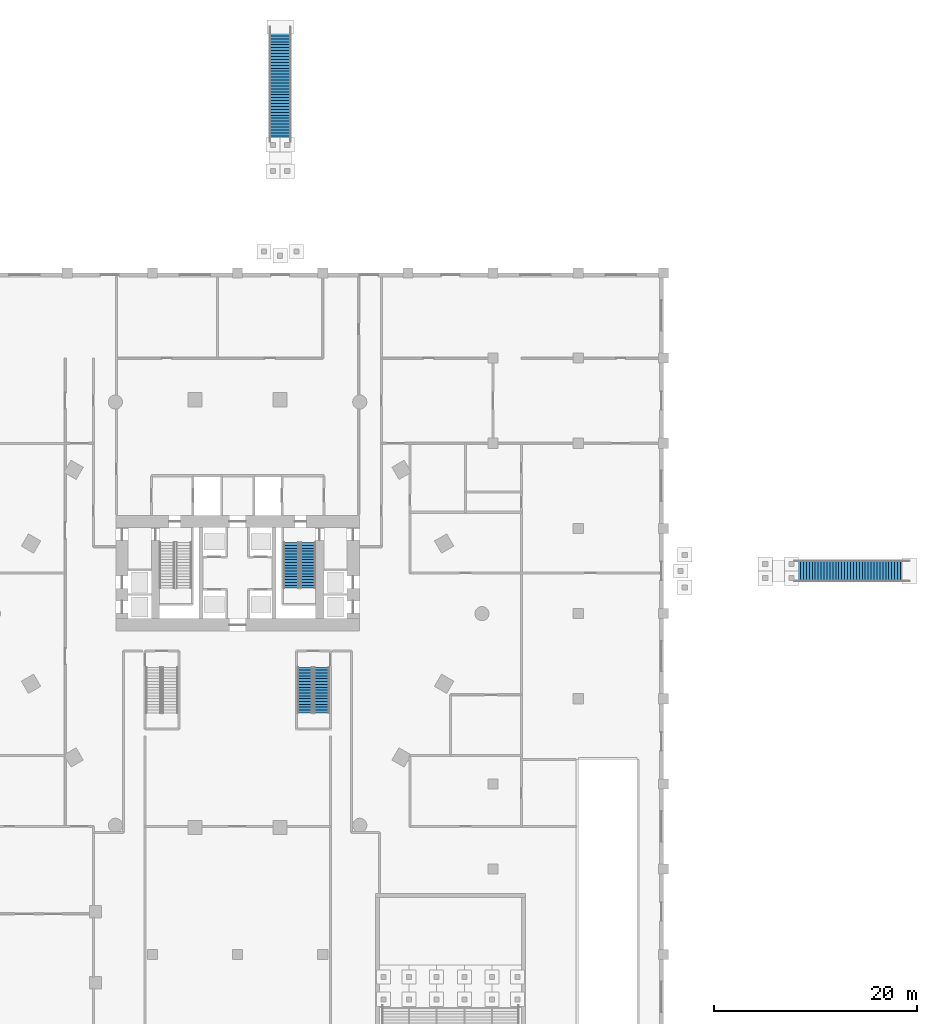
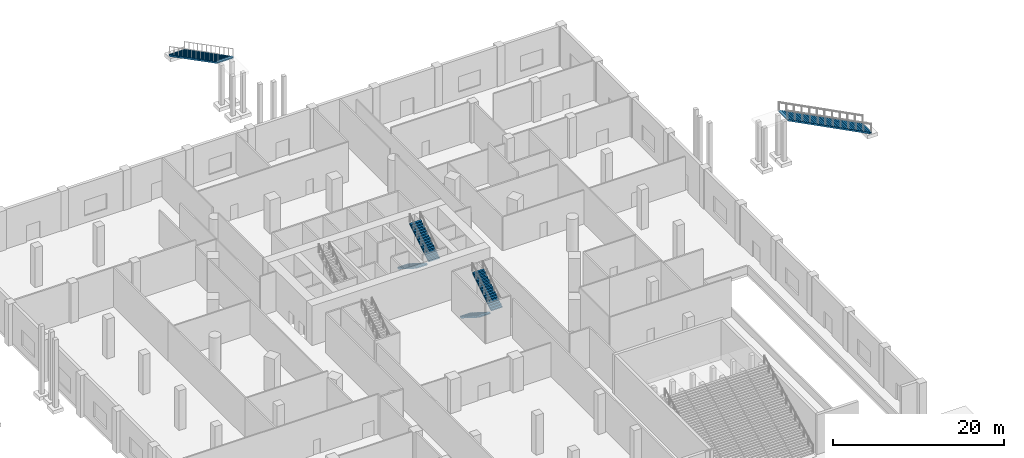
# One storey, part 19 of 25: 6 stair flights, 4 elements without a shape of their own.
"""IFC4 building model written with IfcOpenShell, lengths in metres."""

from ifc_helpers import new_model, si_unit, direction, frame, origin, place, context, subcontext, project, spatial, polyline, outline, extrude, material, type_object, element, aggregate, save


model = new_model("IFC4")

# Units and contexts
model_context = context("Model", 3, precision=1e-05, world=origin(), true_north=direction((0.0, 1.0)))
body_context = subcontext(model_context, "Body", "Model", "MODEL_VIEW")
ifc_project = project(units=[si_unit("LENGTHUNIT", "METRE"), si_unit("AREAUNIT", "SQUARE_METRE"), si_unit("VOLUMEUNIT", "CUBIC_METRE"), si_unit("PLANEANGLEUNIT", "RADIAN"), si_unit("MASSUNIT", "GRAM", prefix="KILO")], contexts=[model_context])

# Site, building, storey
site_placement = place(None, origin())
site = spatial("IfcSite", under=ifc_project, at=site_placement, CompositionType="ELEMENT")
building_placement = place(site_placement, origin())
building = spatial("IfcBuilding", under=site, at=building_placement, Name="Ostrander Bayou Hotel Tower", CompositionType="ELEMENT")
storey_placement = place(building_placement, origin())
storey = spatial("IfcBuildingStorey", under=building, at=storey_placement, Name="L00", CompositionType="ELEMENT", Elevation=0.0)

# Stair, stair flights
ifc_material_1 = material(Name="Concrete f'c 45 MPa", Category="concrete")
stair_type_1 = type_object("IfcStairType", Name="ST1 exit stair 1500 mm f'c 45 MPa", PredefinedType="HALF_TURN_STAIR", material=ifc_material_1)
stair_1_placement = place(storey_placement, origin())
stair_1 = element("IfcStair", 1, at=stair_1_placement, inside=storey, type_object=stair_type_1, Name="L00 exit stair B", PredefinedType="HALF_TURN_STAIR")
ifc_material_2 = material(Name="Concrete f'c 45 MPa", Category="concrete")
stair_flight_type_1 = type_object("IfcStairFlightType", Name="SF1 stair flight 1500 mm f'c 45 MPa", PredefinedType="STRAIGHT", material=ifc_material_2)
stair_flight_1_placement = place(storey_placement, frame((5.300048828125, 7.0, 0.0), z_axis=(0.0, 0.0, 1.0), x_axis=(0.0, -1.0, 0.0)))
stair_flight_1 = element("IfcStairFlight", 2, at=stair_flight_1_placement, type_object=stair_flight_type_1, Name="STB flight 1", NumberOfRisers=17, NumberOfTreads=16, PredefinedType="STRAIGHT", RiserHeight=0.176470588, TreadLength=0.28, context=body_context, shape_type="SweptSolid", body=[
    extrude(outline(polyline([(0.0, 0.0), (0.0, 0.176513671875), (0.280029296875, 0.176513671875), (0.280029296875, 0.35302734375), (0.56005859375, 0.35302734375), (0.56005859375, 0.529296875), (0.840087890625, 0.529296875), (0.840087890625, 0.705810546875), (1.1201171875, 0.705810546875), (1.1201171875, 0.88232421875), (1.39990234375, 0.88232421875), (1.39990234375, 1.058837890625), (1.679931640625, 1.058837890625), (1.679931640625, 1.2353515625), (1.9599609375, 1.2353515625), (1.9599609375, 1.411865234375), (2.239990234375, 1.411865234375), (2.239990234375, 1.588134765625), (2.52001953125, 1.588134765625), (2.52001953125, 1.7646484375), (2.800048828125, 1.7646484375), (2.800048828125, 1.941162109375), (3.080078125, 1.941162109375), (3.080078125, 2.11767578125), (3.360107421875, 2.11767578125), (3.360107421875, 2.294189453125), (3.639892578125, 2.294189453125), (3.639892578125, 2.470703125), (3.919921875, 2.470703125), (3.919921875, 2.64697265625), (4.199951171875, 2.64697265625), (4.199951171875, 2.823486328125), (4.47998046875, 2.823486328125), (4.47998046875, 3.0), (4.47998046875, 2.646240234375), (0.28125, 0.0), (0.0, 0.0)])), frame((0.0, 0.75, 0.0), z_axis=(0.0, -1.0, 0.0), x_axis=(1.0, 0.0, 0.0)), (0.0, 0.0, 1.0), 1.5),
])
stair_flight_2_placement = place(storey_placement, frame((6.949951171875, 2.52001953125, 3.0), z_axis=(0.0, 0.0, 1.0), x_axis=(0.0, 1.0, 0.0)))
stair_flight_2 = element("IfcStairFlight", 3, at=stair_flight_2_placement, type_object=stair_flight_type_1, Name="STB flight 2", NumberOfRisers=17, NumberOfTreads=16, PredefinedType="STRAIGHT", RiserHeight=0.176470588, TreadLength=0.28, context=body_context, shape_type="SweptSolid", body=[
    extrude(outline(polyline([(0.0, 0.0), (0.0, 0.176513671875), (0.280029296875, 0.176513671875), (0.280029296875, 0.35302734375), (0.56005859375, 0.35302734375), (0.56005859375, 0.529296875), (0.840087890625, 0.529296875), (0.840087890625, 0.705810546875), (1.1201171875, 0.705810546875), (1.1201171875, 0.88232421875), (1.39990234375, 0.88232421875), (1.39990234375, 1.058837890625), (1.679931640625, 1.058837890625), (1.679931640625, 1.2353515625), (1.9599609375, 1.2353515625), (1.9599609375, 1.411865234375), (2.239990234375, 1.411865234375), (2.239990234375, 1.588134765625), (2.52001953125, 1.588134765625), (2.52001953125, 1.7646484375), (2.800048828125, 1.7646484375), (2.800048828125, 1.941162109375), (3.080078125, 1.941162109375), (3.080078125, 2.11767578125), (3.360107421875, 2.11767578125), (3.360107421875, 2.294189453125), (3.639892578125, 2.294189453125), (3.639892578125, 2.470703125), (3.919921875, 2.470703125), (3.919921875, 2.64697265625), (4.199951171875, 2.64697265625), (4.199951171875, 2.823486328125), (4.47998046875, 2.823486328125), (4.47998046875, 3.0), (4.47998046875, 2.646240234375), (0.28125, 0.0), (0.0, 0.0)])), frame((0.0, 0.75, 0.0), z_axis=(0.0, -1.0, 0.0), x_axis=(1.0, 0.0, 0.0)), (0.0, 0.0, 1.0), 1.5),
])
aggregate(stair_1, [stair_flight_1, stair_flight_2])

stair_2_placement = place(storey_placement, origin())
stair_2 = element("IfcStair", 4, at=stair_2_placement, inside=storey, type_object=stair_type_1, Name="L00 exit stair C", PredefinedType="HALF_TURN_STAIR")
stair_flight_3_placement = place(storey_placement, frame((6.64990234375, -5.300048828125, 0.0), z_axis=(0.0, 0.0, 1.0), x_axis=(0.0, -1.0, 0.0)))
stair_flight_3 = element("IfcStairFlight", 5, at=stair_flight_3_placement, type_object=stair_flight_type_1, Name="STC flight 1", NumberOfRisers=17, NumberOfTreads=16, PredefinedType="STRAIGHT", RiserHeight=0.176470588, TreadLength=0.28, context=body_context, shape_type="SweptSolid", body=[
    extrude(outline(polyline([(0.0, 0.0), (0.0, 0.176513671875), (0.280029296875, 0.176513671875), (0.280029296875, 0.35302734375), (0.56005859375, 0.35302734375), (0.56005859375, 0.529296875), (0.840087890625, 0.529296875), (0.840087890625, 0.705810546875), (1.1201171875, 0.705810546875), (1.1201171875, 0.88232421875), (1.39990234375, 0.88232421875), (1.39990234375, 1.058837890625), (1.679931640625, 1.058837890625), (1.679931640625, 1.2353515625), (1.9599609375, 1.2353515625), (1.9599609375, 1.411865234375), (2.239990234375, 1.411865234375), (2.239990234375, 1.588134765625), (2.52001953125, 1.588134765625), (2.52001953125, 1.7646484375), (2.800048828125, 1.7646484375), (2.800048828125, 1.941162109375), (3.080078125, 1.941162109375), (3.080078125, 2.11767578125), (3.360107421875, 2.11767578125), (3.360107421875, 2.294189453125), (3.639892578125, 2.294189453125), (3.639892578125, 2.470703125), (3.919921875, 2.470703125), (3.919921875, 2.64697265625), (4.199951171875, 2.64697265625), (4.199951171875, 2.823486328125), (4.47998046875, 2.823486328125), (4.47998046875, 3.0), (4.47998046875, 2.646240234375), (0.28125, 0.0), (0.0, 0.0)])), frame((0.0, 0.75, 0.0), z_axis=(0.0, -1.0, 0.0), x_axis=(1.0, 0.0, 0.0)), (0.0, 0.0, 1.0), 1.5),
])
stair_flight_4_placement = place(storey_placement, frame((8.300048828125, -9.780029296875, 3.0), z_axis=(0.0, 0.0, 1.0), x_axis=(0.0, 1.0, 0.0)))
stair_flight_4 = element("IfcStairFlight", 6, at=stair_flight_4_placement, type_object=stair_flight_type_1, Name="STC flight 2", NumberOfRisers=17, NumberOfTreads=16, PredefinedType="STRAIGHT", RiserHeight=0.176470588, TreadLength=0.28, context=body_context, shape_type="SweptSolid", body=[
    extrude(outline(polyline([(0.0, 0.0), (0.0, 0.176513671875), (0.280029296875, 0.176513671875), (0.280029296875, 0.35302734375), (0.56005859375, 0.35302734375), (0.56005859375, 0.529296875), (0.840087890625, 0.529296875), (0.840087890625, 0.705810546875), (1.1201171875, 0.705810546875), (1.1201171875, 0.88232421875), (1.39990234375, 0.88232421875), (1.39990234375, 1.058837890625), (1.679931640625, 1.058837890625), (1.679931640625, 1.2353515625), (1.9599609375, 1.2353515625), (1.9599609375, 1.411865234375), (2.239990234375, 1.411865234375), (2.239990234375, 1.588134765625), (2.52001953125, 1.588134765625), (2.52001953125, 1.7646484375), (2.800048828125, 1.7646484375), (2.800048828125, 1.941162109375), (3.080078125, 1.941162109375), (3.080078125, 2.11767578125), (3.360107421875, 2.11767578125), (3.360107421875, 2.294189453125), (3.639892578125, 2.294189453125), (3.639892578125, 2.470703125), (3.919921875, 2.470703125), (3.919921875, 2.64697265625), (4.199951171875, 2.64697265625), (4.199951171875, 2.823486328125), (4.47998046875, 2.823486328125), (4.47998046875, 3.0), (4.47998046875, 2.646240234375), (0.28125, 0.0), (0.0, 0.0)])), frame((0.0, 0.75, 0.0), z_axis=(0.0, -1.0, 0.0), x_axis=(1.0, 0.0, 0.0)), (0.0, 0.0, 1.0), 1.5),
])
aggregate(stair_2, [stair_flight_3, stair_flight_4])

# Stair, stair flight
ifc_material_3 = material(Name="Concrete f'c 40 MPa", Category="concrete")
stair_type_2 = type_object("IfcStairType", Name="ST11 deck stair 2200 mm", PredefinedType="STRAIGHT_RUN_STAIR", material=ifc_material_3)
stair_3_placement = place(storey_placement, origin())
stair_3 = element("IfcStair", 7, at=stair_3_placement, inside=storey, type_object=stair_type_2, Name="ST11 deck stair E", PredefinedType="STRAIGHT_RUN_STAIR")
ifc_material_4 = material(Name="Concrete f'c 40 MPa", Category="concrete")
stair_flight_type_2 = type_object("IfcStairFlightType", Name="ST11 deck stair flight 2200 mm", PredefinedType="STRAIGHT", material=ifc_material_4)
stair_flight_5_placement = place(storey_placement, frame((66.25, 4.199951171875, 0.0), z_axis=(0.0, 0.0, 1.0), x_axis=(-1.0, 0.0, 0.0)))
stair_flight_5 = element("IfcStairFlight", 8, at=stair_flight_5_placement, type_object=stair_flight_type_2, Name="ST11 flight 1", NumberOfRisers=40, NumberOfTreads=39, PredefinedType="STRAIGHT", RiserHeight=0.15, TreadLength=0.29, context=body_context, shape_type="SweptSolid", body=[
    extrude(outline(polyline([(0.0, 0.0), (0.0, 0.14990234375), (0.2900390625, 0.14990234375), (0.2900390625, 0.300048828125), (0.580078125, 0.300048828125), (0.580078125, 0.449951171875), (0.8701171875, 0.449951171875), (0.8701171875, 0.60009765625), (1.159912109375, 0.60009765625), (1.159912109375, 0.75), (1.449951171875, 0.75), (1.449951171875, 0.89990234375), (1.739990234375, 0.89990234375), (1.739990234375, 1.050048828125), (2.030029296875, 1.050048828125), (2.030029296875, 1.199951171875), (2.320068359375, 1.199951171875), (2.320068359375, 1.35009765625), (2.610107421875, 1.35009765625), (2.610107421875, 1.5), (2.89990234375, 1.5), (2.89990234375, 1.64990234375), (3.18994140625, 1.64990234375), (3.18994140625, 1.800048828125), (3.47998046875, 1.800048828125), (3.47998046875, 1.949951171875), (3.77001953125, 1.949951171875), (3.77001953125, 2.10009765625), (4.06005859375, 2.10009765625), (4.06005859375, 2.25), (4.35009765625, 2.25), (4.35009765625, 2.39990234375), (4.639892578125, 2.39990234375), (4.639892578125, 2.550048828125), (4.929931640625, 2.550048828125), (4.929931640625, 2.699951171875), (5.219970703125, 2.699951171875), (5.219970703125, 2.85009765625), (5.510009765625, 2.85009765625), (5.510009765625, 3.0), (5.800048828125, 3.0), (5.800048828125, 3.14990234375), (6.090087890625, 3.14990234375), (6.090087890625, 3.300048828125), (6.3798828125, 3.300048828125), (6.3798828125, 3.449951171875), (6.669921875, 3.449951171875), (6.669921875, 3.60009765625), (6.9599609375, 3.60009765625), (6.9599609375, 3.75), (7.25, 3.75), (7.25, 3.89990234375), (7.5400390625, 3.89990234375), (7.5400390625, 4.050048828125), (7.830078125, 4.050048828125), (7.830078125, 4.199951171875), (8.1201171875, 4.199951171875), (8.1201171875, 4.35009765625), (8.409912109375, 4.35009765625), (8.409912109375, 4.5), (8.699951171875, 4.5), (8.699951171875, 4.64990234375), (8.989990234375, 4.64990234375), (8.989990234375, 4.800048828125), (9.280029296875, 4.800048828125), (9.280029296875, 4.949951171875), (9.570068359375, 4.949951171875), (9.570068359375, 5.10009765625), (9.860107421875, 5.10009765625), (9.860107421875, 5.25), (10.14990234375, 5.25), (10.14990234375, 5.39990234375), (10.43994140625, 5.39990234375), (10.43994140625, 5.550048828125), (10.72998046875, 5.550048828125), (10.72998046875, 5.699951171875), (11.02001953125, 5.699951171875), (11.02001953125, 5.85009765625), (11.31005859375, 5.85009765625), (11.31005859375, 6.0), (11.31005859375, 5.68115234375), (0.326171875, 0.0), (0.0, 0.0)])), frame((0.0, 1.10009765625, 0.0), z_axis=(0.0, -1.0, 0.0), x_axis=(1.0, 0.0, 0.0)), (0.0, 0.0, 1.0), 2.199951171875),
])
aggregate(stair_3, [stair_flight_5])

stair_4_placement = place(storey_placement, origin())
stair_4 = element("IfcStair", 9, at=stair_4_placement, inside=storey, type_object=stair_type_2, Name="ST11 deck stair N", PredefinedType="STRAIGHT_RUN_STAIR")
stair_flight_6_placement = place(storey_placement, frame((4.199951171875, 57.85009765625, 0.0), z_axis=(0.0, 0.0, 1.0), x_axis=(0.0, -1.0, 0.0)))
stair_flight_6 = element("IfcStairFlight", 10, at=stair_flight_6_placement, type_object=stair_flight_type_2, Name="ST11 flight 1", NumberOfRisers=40, NumberOfTreads=39, PredefinedType="STRAIGHT", RiserHeight=0.15, TreadLength=0.29, context=body_context, shape_type="SweptSolid", body=[
    extrude(outline(polyline([(0.0, 0.0), (0.0, 0.14990234375), (0.2900390625, 0.14990234375), (0.2900390625, 0.300048828125), (0.580078125, 0.300048828125), (0.580078125, 0.449951171875), (0.8701171875, 0.449951171875), (0.8701171875, 0.60009765625), (1.159912109375, 0.60009765625), (1.159912109375, 0.75), (1.449951171875, 0.75), (1.449951171875, 0.89990234375), (1.739990234375, 0.89990234375), (1.739990234375, 1.050048828125), (2.030029296875, 1.050048828125), (2.030029296875, 1.199951171875), (2.320068359375, 1.199951171875), (2.320068359375, 1.35009765625), (2.610107421875, 1.35009765625), (2.610107421875, 1.5), (2.89990234375, 1.5), (2.89990234375, 1.64990234375), (3.18994140625, 1.64990234375), (3.18994140625, 1.800048828125), (3.47998046875, 1.800048828125), (3.47998046875, 1.949951171875), (3.77001953125, 1.949951171875), (3.77001953125, 2.10009765625), (4.06005859375, 2.10009765625), (4.06005859375, 2.25), (4.35009765625, 2.25), (4.35009765625, 2.39990234375), (4.639892578125, 2.39990234375), (4.639892578125, 2.550048828125), (4.929931640625, 2.550048828125), (4.929931640625, 2.699951171875), (5.219970703125, 2.699951171875), (5.219970703125, 2.85009765625), (5.510009765625, 2.85009765625), (5.510009765625, 3.0), (5.800048828125, 3.0), (5.800048828125, 3.14990234375), (6.090087890625, 3.14990234375), (6.090087890625, 3.300048828125), (6.3798828125, 3.300048828125), (6.3798828125, 3.449951171875), (6.669921875, 3.449951171875), (6.669921875, 3.60009765625), (6.9599609375, 3.60009765625), (6.9599609375, 3.75), (7.25, 3.75), (7.25, 3.89990234375), (7.5400390625, 3.89990234375), (7.5400390625, 4.050048828125), (7.830078125, 4.050048828125), (7.830078125, 4.199951171875), (8.1201171875, 4.199951171875), (8.1201171875, 4.35009765625), (8.409912109375, 4.35009765625), (8.409912109375, 4.5), (8.699951171875, 4.5), (8.699951171875, 4.64990234375), (8.989990234375, 4.64990234375), (8.989990234375, 4.800048828125), (9.280029296875, 4.800048828125), (9.280029296875, 4.949951171875), (9.570068359375, 4.949951171875), (9.570068359375, 5.10009765625), (9.860107421875, 5.10009765625), (9.860107421875, 5.25), (10.14990234375, 5.25), (10.14990234375, 5.39990234375), (10.43994140625, 5.39990234375), (10.43994140625, 5.550048828125), (10.72998046875, 5.550048828125), (10.72998046875, 5.699951171875), (11.02001953125, 5.699951171875), (11.02001953125, 5.85009765625), (11.31005859375, 5.85009765625), (11.31005859375, 6.0), (11.31005859375, 5.68115234375), (0.326171875, 0.0), (0.0, 0.0)])), frame((0.0, 1.10009765625, 0.0), z_axis=(0.0, -1.0, 0.0), x_axis=(1.0, 0.0, 0.0)), (0.0, 0.0, 1.0), 2.199951171875),
])
aggregate(stair_4, [stair_flight_6])

save(model, "model.ifc")
